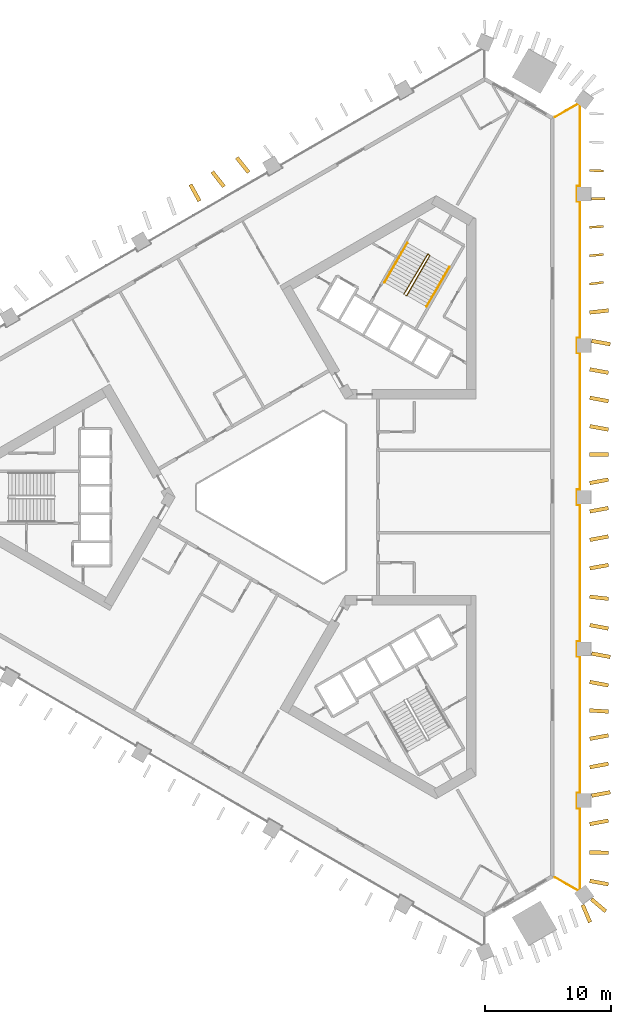
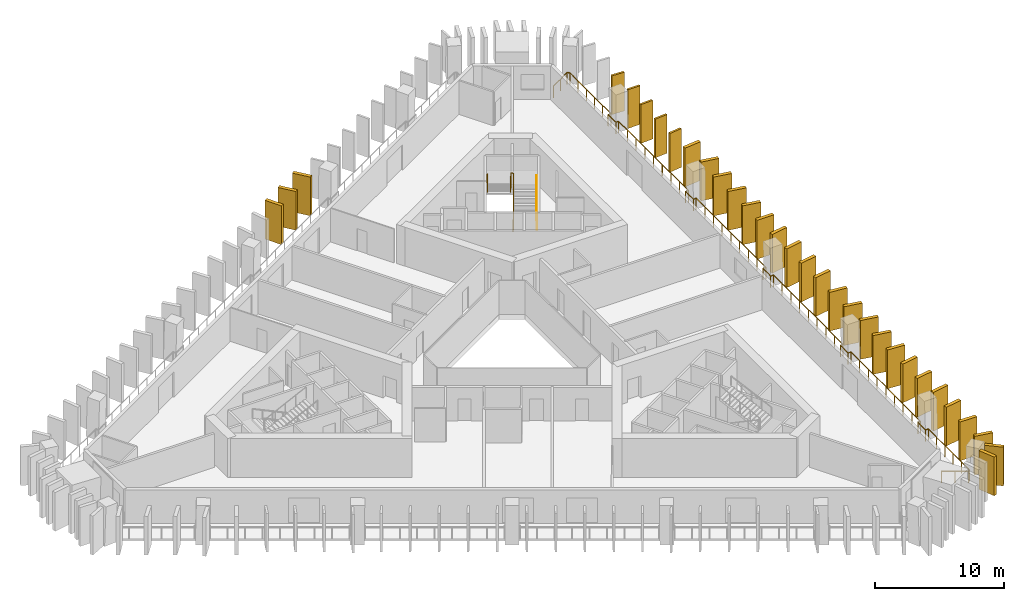
# One storey, part 9 of 10: 31 shading devices, 4 railings.
"""IFC4 building model written with IfcOpenShell, lengths in metres."""

import ifcopenshell
import ifcopenshell.guid

model = None  # the IFC model being written
_history = None  # IfcOwnerHistory: only IFC2X3 demands one
_inside = {}  # id of a spatial element -> (the spatial element, [elements in it])
_under = {}  # id of a project, library or spatial element -> (it, [spatial elements below it])
_declared = {}  # id of a project -> (the project, [libraries it declares])
_typed = {}  # id of a type object -> (the type object, [elements of that type])
_made_of = {}  # id of a material, layer set ... -> (it, [elements and type objects made of it])


def new_model(schema):
    """Start an empty IFC model of exactly this schema.

    Asked for "IFC4X3", IfcOpenShell would pick the latest addendum, in which some entities
    have other attributes; the version numbers below select the first issue.
    IFC2X3 requires an IfcOwnerHistory on every rooted entity: one is made here for all.
    """
    global model, _history
    if schema == "IFC4X3":
        model = ifcopenshell.file(schema_version=(4, 3, 0, 0))
    else:
        model = ifcopenshell.file(schema=schema)
    _inside.clear()
    _under.clear()
    _declared.clear()
    _typed.clear()
    _made_of.clear()
    _history = None
    if model.schema == "IFC2X3":
        org = make("IfcOrganization", Name="unknown")
        user = make(
            "IfcPersonAndOrganization",
            ThePerson=make("IfcPerson", FamilyName="unknown"),
            TheOrganization=org,
        )
        app = make(
            "IfcApplication",
            ApplicationDeveloper=org,
            Version="unknown",
            ApplicationFullName="unknown",
            ApplicationIdentifier="unknown",
        )
        _history = make(
            "IfcOwnerHistory",
            OwningUser=user,
            OwningApplication=app,
            ChangeAction="ADDED",
            CreationDate=0,
        )
    return model


def make(cls, **values):
    """One entity of the class cls with the attributes given. An attribute that is None is left unset."""
    return model.create_entity(
        cls, **{name: value for name, value in values.items() if value is not None}
    )


def rooted(cls, **values):
    """An entity with a GlobalId (a new one), such as an element, a storey or a relation."""
    return make(cls, GlobalId=ifcopenshell.guid.new(), OwnerHistory=_history, **values)


def si_unit(unit_type, name, prefix=None):
    """IfcSIUnit, for example si_unit("LENGTHUNIT", "METRE", prefix="MILLI")."""
    return make("IfcSIUnit", UnitType=unit_type, Prefix=prefix, Name=name)


def assignment(units):
    """IfcUnitAssignment: the units of a project."""
    return None if units is None else make("IfcUnitAssignment", Units=units)


def point(xyz):
    """IfcCartesianPoint."""
    return None if xyz is None else make("IfcCartesianPoint", Coordinates=xyz)


def direction(xyz):
    """IfcDirection."""
    return None if xyz is None else make("IfcDirection", DirectionRatios=xyz)


def frame(location, z_axis=None, x_axis=None):
    """IfcAxis2Placement3D, a coordinate frame: its origin and axes. An axis left out is left unset."""
    return make(
        "IfcAxis2Placement3D",
        Location=point(location),
        Axis=direction(z_axis),
        RefDirection=direction(x_axis),
    )


def frame_2d(location, x_axis=None):
    """IfcAxis2Placement2D, a coordinate frame in the plane: its origin and x axis."""
    return make(
        "IfcAxis2Placement2D", Location=point(location), RefDirection=direction(x_axis)
    )


def origin():
    """The frame at (0, 0, 0) with its axes left unset."""
    return frame((0.0, 0.0, 0.0))


def origin_2d():
    """The frame at (0, 0) in the plane with its x axis left unset."""
    return frame_2d((0.0, 0.0))


def place(relative_to, where):
    """IfcLocalPlacement: puts the frame where relative to a parent placement (None: the world)."""
    return make(
        "IfcLocalPlacement", PlacementRelTo=relative_to, RelativePlacement=where
    )


def context(
    kind, dimensions, precision=None, world=None, true_north=None, identifier=None
):
    """IfcGeometricRepresentationContext, for example the 3D "Model" context."""
    return make(
        "IfcGeometricRepresentationContext",
        ContextIdentifier=identifier,
        ContextType=kind,
        CoordinateSpaceDimension=dimensions,
        Precision=precision,
        WorldCoordinateSystem=world,
        TrueNorth=true_north,
    )


def subcontext(parent, identifier, kind, view, scale=None):
    """IfcGeometricRepresentationSubContext, for example "Body" below "Model"."""
    return make(
        "IfcGeometricRepresentationSubContext",
        ContextIdentifier=identifier,
        ContextType=kind,
        ParentContext=parent,
        TargetScale=scale,
        TargetView=view,
    )


def project(units=None, contexts=None):
    """IfcProject with its units and contexts."""
    return rooted(
        "IfcProject",
        Name="project",
        RepresentationContexts=contexts,
        UnitsInContext=assignment(units),
    )


def spatial(cls, under=None, at=None, **own):
    """A site, building, storey or space (cls), placed at a placement, below another one or the project."""
    s = rooted(cls, ObjectPlacement=at, **own)
    if under is not None:
        _under.setdefault(under.id(), (under, []))[1].append(s)
    return s


def profile(cls, at=None, kind="AREA", **sizes):
    """A parametric profile (cls). Its sizes go by their IFC names, for example OverallWidth=200.0."""
    return make(cls, ProfileType=kind, Position=at, **sizes)


def rectangle(**sizes):
    """IfcRectangleProfileDef."""
    return profile("IfcRectangleProfileDef", **sizes)


def circle(**sizes):
    """IfcCircleProfileDef."""
    return profile("IfcCircleProfileDef", **sizes)


def extrude(swept, where, along, depth):
    """IfcExtrudedAreaSolid: the profile swept, set in the frame where, extruded along a direction by depth."""
    return make(
        "IfcExtrudedAreaSolid",
        SweptArea=swept,
        Position=where,
        ExtrudedDirection=direction(along),
        Depth=depth,
    )


def shape(context_of_items, identifier, shape_type, items):
    """IfcShapeRepresentation: the items that make up one representation, for example the "Body"."""
    return make(
        "IfcShapeRepresentation",
        ContextOfItems=context_of_items,
        RepresentationIdentifier=identifier,
        RepresentationType=shape_type,
        Items=items,
    )


def material(Name=None, Category=None):
    """IfcMaterial."""
    return make("IfcMaterial", Name=Name, Category=Category)


def layer(
    of_material, thickness, ventilated=None, Name=None, Category=None, Priority=None
):
    """IfcMaterialLayer: one layer of a wall or slab, of a material (None: an air gap)."""
    return make(
        "IfcMaterialLayer",
        Material=of_material,
        LayerThickness=thickness,
        IsVentilated=ventilated,
        Name=Name,
        Category=Category,
        Priority=Priority,
    )


def layer_set(layers, Name=None):
    """IfcMaterialLayerSet."""
    return make("IfcMaterialLayerSet", MaterialLayers=layers, LayerSetName=Name)


def made_of(thing, what):
    """Note that an element or type object is made of a material, layer set ...; save() writes the relation."""
    if what is not None:
        _made_of.setdefault(what.id(), (what, []))[1].append(thing)
    return thing


def type_object(cls, material=None, **own):
    """A type object (cls), such as IfcWallType, which elements share."""
    return made_of(rooted(cls, **own), material)


def element(
    cls,
    number,
    at=None,
    inside=None,
    cuts=None,
    type_object=None,
    material=None,
    context=None,
    identifier="Body",
    shape_type=None,
    held_by="IfcProductDefinitionShape",
    body=None,
    shapes=None,
    **own,
):
    """One element of the class cls, such as IfcWall. Its Tag is "e" and its number.

    at: its placement. inside: the storey or other place that contains it. cuts: it is an
    opening in that element (IfcRelVoidsElement). A single representation is given by context,
    identifier, shape_type and body (its items); several are given by shapes. held_by: the class
    of the entity that holds the representations. save() writes the other relations.
    """
    e = rooted(cls, Tag="e%d" % number, ObjectPlacement=at, **own)
    if body is not None:
        shapes = [shape(context, identifier, shape_type, body)]
    if shapes is not None:
        e.Representation = make(held_by, Representations=shapes)
    if inside is not None:
        _inside.setdefault(inside.id(), (inside, []))[1].append(e)
    if cuts is not None:
        rooted(
            "IfcRelVoidsElement", RelatingBuildingElement=cuts, RelatedOpeningElement=e
        )
    if type_object is not None:
        _typed.setdefault(type_object.id(), (type_object, []))[1].append(e)
    return made_of(e, material)


def aggregate(whole, parts):
    """IfcRelAggregates: a whole, such as a stair, and the parts it consists of."""
    return rooted("IfcRelAggregates", RelatingObject=whole, RelatedObjects=parts)


def save(model, path):
    """Write the relations noted so far, then the file.

    IfcRelAggregates (storeys below a building ...), IfcRelContainedInSpatialStructure (elements
    in a storey), IfcRelDefinesByType, IfcRelAssociatesMaterial and IfcRelDeclares: one each for
    every whole, place, type object, material and project.
    """
    for whole, parts in _under.values():
        aggregate(whole, parts)
    for where, things in _inside.values():
        rooted(
            "IfcRelContainedInSpatialStructure",
            RelatedElements=things,
            RelatingStructure=where,
        )
    for kind, things in _typed.values():
        rooted("IfcRelDefinesByType", RelatedObjects=things, RelatingType=kind)
    for what, things in _made_of.values():
        rooted("IfcRelAssociatesMaterial", RelatedObjects=things, RelatingMaterial=what)
    for by, libraries in _declared.values():
        rooted("IfcRelDeclares", RelatingContext=by, RelatedDefinitions=libraries)
    model.write(path)


model = new_model("IFC4")

# Units and contexts
model_context = context("Model", 3, precision=1e-05, world=origin(), true_north=direction((0.0, 1.0)))
body_context = subcontext(model_context, "Body", "Model", "MODEL_VIEW")
ifc_project = project(units=[si_unit("LENGTHUNIT", "METRE"), si_unit("AREAUNIT", "SQUARE_METRE"), si_unit("VOLUMEUNIT", "CUBIC_METRE"), si_unit("PLANEANGLEUNIT", "RADIAN"), si_unit("MASSUNIT", "GRAM", prefix="KILO")], contexts=[model_context])

# Site, building, storey
site_placement = place(None, origin())
site = spatial("IfcSite", under=ifc_project, at=site_placement, CompositionType="ELEMENT")
building_placement = place(site_placement, origin())
building = spatial("IfcBuilding", under=site, at=building_placement, Name="Jabali Bay Hotel Tower and Convention Centre", CompositionType="ELEMENT")
storey_placement = place(building_placement, frame((0.0, 0.0, 57.300048828125)))
storey = spatial("IfcBuildingStorey", under=building, at=storey_placement, Name="L12", CompositionType="ELEMENT", Elevation=57.300048828125)

# Railing
ifc_material_1 = material(Name="Glass", Category="glass")
railing_type_1 = type_object("IfcRailingType", Name="Loggia glass guard 1100", PredefinedType="BALUSTRADE", material=ifc_material_1)
railing_1_placement = place(storey_placement, frame((96.14892578125, 110.177734375, 0.0)))
element("IfcRailing", 1, at=railing_1_placement, inside=storey, type_object=railing_type_1, Name="Loggia glass guard L12", PredefinedType="BALUSTRADE", context=body_context, shape_type="SweptSolid", body=[
    extrude(circle(Radius=0.02490234375, at=origin_2d()), frame((0.0, 0.0, 1.0751953125), z_axis=(0.866027613664, 0.499996172356, 0.0), x_axis=(-0.495718635789, 0.858618627375, 0.13052619222)), (0.0, 0.0, 1.0), 2.1103515625),
    extrude(circle(Radius=0.02490234375, at=origin_2d()), frame((1.82763671875, 1.05517578125, 1.0751953125), z_axis=(0.802448385705, -0.596721533279, 0.0), x_axis=(0.591616497841, 0.795583328525, 0.13052619222)), (0.0, 0.0, 1.0), 0.21484375),
    extrude(circle(Radius=0.02490234375, at=origin_2d()), frame((2.0, 0.927001953125, 1.0751953125), z_axis=(0.0, -1.0, 0.0), x_axis=(0.991444861374, 0.0, 0.13052619222)), (0.0, 0.0, 1.0), 6.406982421875),
    extrude(circle(Radius=0.02490234375, at=origin_2d()), frame((2.0, -5.47998046875, 1.0751953125), z_axis=(-1.0, 0.0, 0.0), x_axis=(0.0, -0.991444861374, 0.13052619222)), (0.0, 0.0, 1.0), 0.25),
    extrude(circle(Radius=0.02490234375, at=origin_2d()), frame((1.75, -5.47998046875, 1.0751953125), z_axis=(0.0, -1.0, 0.0), x_axis=(0.991444861374, 0.0, 0.13052619222)), (0.0, 0.0, 1.0), 1.199951171875),
    extrude(circle(Radius=0.02490234375, at=origin_2d()), frame((1.75, -6.679931640625, 1.0751953125), z_axis=(1.0, 0.0, 0.0), x_axis=(0.0, 0.991444861374, 0.13052619222)), (0.0, 0.0, 1.0), 0.25),
    extrude(circle(Radius=0.02490234375, at=origin_2d()), frame((2.0, -6.679931640625, 1.0751953125), z_axis=(0.0, -1.0, 0.0), x_axis=(0.991444861374, 0.0, 0.13052619222)), (0.0, 0.0, 1.0), 10.848876953125),
    extrude(circle(Radius=0.02490234375, at=origin_2d()), frame((2.0, -17.52880859375, 1.0751953125), z_axis=(-1.0, 0.0, 0.0), x_axis=(0.0, -0.991444861374, 0.13052619222)), (0.0, 0.0, 1.0), 0.25),
    extrude(circle(Radius=0.02490234375, at=origin_2d()), frame((1.75, -17.52880859375, 1.0751953125), z_axis=(0.0, -1.0, 0.0), x_axis=(0.991444861374, 0.0, 0.13052619222)), (0.0, 0.0, 1.0), 1.199951171875),
    extrude(circle(Radius=0.02490234375, at=origin_2d()), frame((1.75, -18.728759765625, 1.0751953125), z_axis=(1.0, 0.0, 0.0), x_axis=(0.0, 0.991444861374, 0.13052619222)), (0.0, 0.0, 1.0), 0.25),
    extrude(circle(Radius=0.02490234375, at=origin_2d()), frame((2.0, -18.728759765625, 1.0751953125), z_axis=(0.0, -1.0, 0.0), x_axis=(0.991444861374, 0.0, 0.13052619222)), (0.0, 0.0, 1.0), 10.848876953125),
    extrude(circle(Radius=0.02490234375, at=origin_2d()), frame((2.0, -29.57763671875, 1.0751953125), z_axis=(-1.0, 0.0, 0.0), x_axis=(0.0, -0.991444861374, 0.13052619222)), (0.0, 0.0, 1.0), 0.25),
    extrude(circle(Radius=0.02490234375, at=origin_2d()), frame((1.75, -29.57763671875, 1.0751953125), z_axis=(0.0, -1.0, 0.0), x_axis=(0.991444861374, 0.0, 0.13052619222)), (0.0, 0.0, 1.0), 1.2001953125),
    extrude(circle(Radius=0.02490234375, at=origin_2d()), frame((1.75, -30.77783203125, 1.0751953125), z_axis=(1.0, 0.0, 0.0), x_axis=(0.0, 0.991444861374, 0.13052619222)), (0.0, 0.0, 1.0), 0.25),
    extrude(circle(Radius=0.02490234375, at=origin_2d()), frame((2.0, -30.77783203125, 1.0751953125), z_axis=(0.0, -1.0, 0.0), x_axis=(0.991444861374, 0.0, 0.13052619222)), (0.0, 0.0, 1.0), 10.848876953125),
    extrude(circle(Radius=0.02490234375, at=origin_2d()), frame((2.0, -41.626708984375, 1.0751953125), z_axis=(-1.0, 0.0, 0.0), x_axis=(0.0, -0.991444861374, 0.13052619222)), (0.0, 0.0, 1.0), 0.25),
    extrude(circle(Radius=0.02490234375, at=origin_2d()), frame((1.75, -41.626708984375, 1.0751953125), z_axis=(0.0, -1.0, 0.0), x_axis=(0.991444861374, 0.0, 0.13052619222)), (0.0, 0.0, 1.0), 1.199951171875),
    extrude(circle(Radius=0.02490234375, at=origin_2d()), frame((1.75, -42.82666015625, 1.0751953125), z_axis=(1.0, 0.0, 0.0), x_axis=(0.0, 0.991444861374, 0.13052619222)), (0.0, 0.0, 1.0), 0.25),
    extrude(circle(Radius=0.02490234375, at=origin_2d()), frame((2.0, -42.82666015625, 1.0751953125), z_axis=(0.0, -1.0, 0.0), x_axis=(0.991444861374, 0.0, 0.13052619222)), (0.0, 0.0, 1.0), 10.848876953125),
    extrude(circle(Radius=0.02490234375, at=origin_2d()), frame((2.0, -53.675537109375, 1.0751953125), z_axis=(-1.0, 0.0, 0.0), x_axis=(0.0, -0.991444861374, 0.13052619222)), (0.0, 0.0, 1.0), 0.25),
    extrude(circle(Radius=0.02490234375, at=origin_2d()), frame((1.75, -53.675537109375, 1.0751953125), z_axis=(0.0, -1.0, 0.0), x_axis=(0.991444861374, 0.0, 0.13052619222)), (0.0, 0.0, 1.0), 1.199951171875),
    extrude(circle(Radius=0.02490234375, at=origin_2d()), frame((1.75, -54.87548828125, 1.0751953125), z_axis=(1.0, 0.0, 0.0), x_axis=(0.0, 0.991444861374, 0.13052619222)), (0.0, 0.0, 1.0), 0.25),
    extrude(circle(Radius=0.02490234375, at=origin_2d()), frame((2.0, -54.87548828125, 1.0751953125), z_axis=(0.0, -1.0, 0.0), x_axis=(0.991444861374, 0.0, 0.13052619222)), (0.0, 0.0, 1.0), 6.406982421875),
    extrude(circle(Radius=0.02490234375, at=origin_2d()), frame((2.0, -61.282470703125, 1.0751953125), z_axis=(-0.802448385705, -0.596721533279, 0.0), x_axis=(0.591616497841, -0.795583328525, 0.13052619222)), (0.0, 0.0, 1.0), 0.21484375),
    extrude(circle(Radius=0.02490234375, at=origin_2d()), frame((1.82763671875, -61.41064453125, 1.0751953125), z_axis=(-0.866027613664, 0.499996172356, 0.0), x_axis=(-0.495718635789, -0.858618627375, 0.13052619222)), (0.0, 0.0, 1.0), 2.1103515625),
    extrude(circle(Radius=0.02001953125, at=origin_2d()), origin(), (0.0, 0.0, 1.0), 1.050048828125),
    extrude(circle(Radius=0.02001953125, at=origin_2d()), frame((0.913818359375, 0.527587890625, 0.0)), (0.0, 0.0, 1.0), 1.050048828125),
    extrude(circle(Radius=0.02001953125, at=origin_2d()), frame((1.82763671875, 1.05517578125, 0.0)), (0.0, 0.0, 1.0), 1.050048828125),
    extrude(circle(Radius=0.02001953125, at=origin_2d()), frame((2.0, 0.927001953125, 0.0)), (0.0, 0.0, 1.0), 1.050048828125),
    extrude(circle(Radius=0.02001953125, at=origin_2d()), frame((2.0, -0.3544921875, 0.0)), (0.0, 0.0, 1.0), 1.050048828125),
    extrude(circle(Radius=0.02001953125, at=origin_2d()), frame((2.0, -1.6357421875, 0.0)), (0.0, 0.0, 1.0), 1.050048828125),
    extrude(circle(Radius=0.02001953125, at=origin_2d()), frame((2.0, -2.917236328125, 0.0)), (0.0, 0.0, 1.0), 1.050048828125),
    extrude(circle(Radius=0.02001953125, at=origin_2d()), frame((2.0, -4.198486328125, 0.0)), (0.0, 0.0, 1.0), 1.050048828125),
    extrude(circle(Radius=0.02001953125, at=origin_2d()), frame((2.0, -5.47998046875, 0.0)), (0.0, 0.0, 1.0), 1.050048828125),
    extrude(circle(Radius=0.02001953125, at=origin_2d()), frame((1.75, -5.47998046875, 0.0)), (0.0, 0.0, 1.0), 1.050048828125),
    extrude(circle(Radius=0.02001953125, at=origin_2d()), frame((1.75, -6.679931640625, 0.0)), (0.0, 0.0, 1.0), 1.050048828125),
    extrude(circle(Radius=0.02001953125, at=origin_2d()), frame((2.0, -6.679931640625, 0.0)), (0.0, 0.0, 1.0), 1.050048828125),
    extrude(circle(Radius=0.02001953125, at=origin_2d()), frame((2.0, -8.0361328125, 0.0)), (0.0, 0.0, 1.0), 1.050048828125),
    extrude(circle(Radius=0.02001953125, at=origin_2d()), frame((2.0, -9.39208984375, 0.0)), (0.0, 0.0, 1.0), 1.050048828125),
    extrude(circle(Radius=0.02001953125, at=origin_2d()), frame((2.0, -10.748291015625, 0.0)), (0.0, 0.0, 1.0), 1.050048828125),
    extrude(circle(Radius=0.02001953125, at=origin_2d()), frame((2.0, -12.1044921875, 0.0)), (0.0, 0.0, 1.0), 1.050048828125),
    extrude(circle(Radius=0.02001953125, at=origin_2d()), frame((2.0, -13.46044921875, 0.0)), (0.0, 0.0, 1.0), 1.050048828125),
    extrude(circle(Radius=0.02001953125, at=origin_2d()), frame((2.0, -14.816650390625, 0.0)), (0.0, 0.0, 1.0), 1.050048828125),
    extrude(circle(Radius=0.02001953125, at=origin_2d()), frame((2.0, -16.172607421875, 0.0)), (0.0, 0.0, 1.0), 1.050048828125),
    extrude(circle(Radius=0.02001953125, at=origin_2d()), frame((2.0, -17.52880859375, 0.0)), (0.0, 0.0, 1.0), 1.050048828125),
    extrude(circle(Radius=0.02001953125, at=origin_2d()), frame((1.75, -17.52880859375, 0.0)), (0.0, 0.0, 1.0), 1.050048828125),
    extrude(circle(Radius=0.02001953125, at=origin_2d()), frame((1.75, -18.728759765625, 0.0)), (0.0, 0.0, 1.0), 1.050048828125),
    extrude(circle(Radius=0.02001953125, at=origin_2d()), frame((2.0, -18.728759765625, 0.0)), (0.0, 0.0, 1.0), 1.050048828125),
    extrude(circle(Radius=0.02001953125, at=origin_2d()), frame((2.0, -20.0849609375, 0.0)), (0.0, 0.0, 1.0), 1.050048828125),
    extrude(circle(Radius=0.02001953125, at=origin_2d()), frame((2.0, -21.44091796875, 0.0)), (0.0, 0.0, 1.0), 1.050048828125),
    extrude(circle(Radius=0.02001953125, at=origin_2d()), frame((2.0, -22.797119140625, 0.0)), (0.0, 0.0, 1.0), 1.050048828125),
    extrude(circle(Radius=0.02001953125, at=origin_2d()), frame((2.0, -24.1533203125, 0.0)), (0.0, 0.0, 1.0), 1.050048828125),
    extrude(circle(Radius=0.02001953125, at=origin_2d()), frame((2.0, -25.50927734375, 0.0)), (0.0, 0.0, 1.0), 1.050048828125),
    extrude(circle(Radius=0.02001953125, at=origin_2d()), frame((2.0, -26.865478515625, 0.0)), (0.0, 0.0, 1.0), 1.050048828125),
    extrude(circle(Radius=0.02001953125, at=origin_2d()), frame((2.0, -28.221435546875, 0.0)), (0.0, 0.0, 1.0), 1.050048828125),
    extrude(circle(Radius=0.02001953125, at=origin_2d()), frame((2.0, -29.57763671875, 0.0)), (0.0, 0.0, 1.0), 1.050048828125),
    extrude(circle(Radius=0.02001953125, at=origin_2d()), frame((1.75, -29.57763671875, 0.0)), (0.0, 0.0, 1.0), 1.050048828125),
    extrude(circle(Radius=0.02001953125, at=origin_2d()), frame((1.75, -30.77783203125, 0.0)), (0.0, 0.0, 1.0), 1.050048828125),
    extrude(circle(Radius=0.02001953125, at=origin_2d()), frame((2.0, -30.77783203125, 0.0)), (0.0, 0.0, 1.0), 1.050048828125),
    extrude(circle(Radius=0.02001953125, at=origin_2d()), frame((2.0, -32.134033203125, 0.0)), (0.0, 0.0, 1.0), 1.050048828125),
    extrude(circle(Radius=0.02001953125, at=origin_2d()), frame((2.0, -33.489990234375, 0.0)), (0.0, 0.0, 1.0), 1.050048828125),
    extrude(circle(Radius=0.02001953125, at=origin_2d()), frame((2.0, -34.84619140625, 0.0)), (0.0, 0.0, 1.0), 1.050048828125),
    extrude(circle(Radius=0.02001953125, at=origin_2d()), frame((2.0, -36.2021484375, 0.0)), (0.0, 0.0, 1.0), 1.050048828125),
    extrude(circle(Radius=0.02001953125, at=origin_2d()), frame((2.0, -37.558349609375, 0.0)), (0.0, 0.0, 1.0), 1.050048828125),
    extrude(circle(Radius=0.02001953125, at=origin_2d()), frame((2.0, -38.91455078125, 0.0)), (0.0, 0.0, 1.0), 1.050048828125),
    extrude(circle(Radius=0.02001953125, at=origin_2d()), frame((2.0, -40.2705078125, 0.0)), (0.0, 0.0, 1.0), 1.050048828125),
    extrude(circle(Radius=0.02001953125, at=origin_2d()), frame((2.0, -41.626708984375, 0.0)), (0.0, 0.0, 1.0), 1.050048828125),
    extrude(circle(Radius=0.02001953125, at=origin_2d()), frame((1.75, -41.626708984375, 0.0)), (0.0, 0.0, 1.0), 1.050048828125),
    extrude(circle(Radius=0.02001953125, at=origin_2d()), frame((1.75, -42.82666015625, 0.0)), (0.0, 0.0, 1.0), 1.050048828125),
    extrude(circle(Radius=0.02001953125, at=origin_2d()), frame((2.0, -42.82666015625, 0.0)), (0.0, 0.0, 1.0), 1.050048828125),
    extrude(circle(Radius=0.02001953125, at=origin_2d()), frame((2.0, -44.182861328125, 0.0)), (0.0, 0.0, 1.0), 1.050048828125),
    extrude(circle(Radius=0.02001953125, at=origin_2d()), frame((2.0, -45.538818359375, 0.0)), (0.0, 0.0, 1.0), 1.050048828125),
    extrude(circle(Radius=0.02001953125, at=origin_2d()), frame((2.0, -46.89501953125, 0.0)), (0.0, 0.0, 1.0), 1.050048828125),
    extrude(circle(Radius=0.02001953125, at=origin_2d()), frame((2.0, -48.2509765625, 0.0)), (0.0, 0.0, 1.0), 1.050048828125),
    extrude(circle(Radius=0.02001953125, at=origin_2d()), frame((2.0, -49.607177734375, 0.0)), (0.0, 0.0, 1.0), 1.050048828125),
    extrude(circle(Radius=0.02001953125, at=origin_2d()), frame((2.0, -50.96337890625, 0.0)), (0.0, 0.0, 1.0), 1.050048828125),
    extrude(circle(Radius=0.02001953125, at=origin_2d()), frame((2.0, -52.3193359375, 0.0)), (0.0, 0.0, 1.0), 1.050048828125),
    extrude(circle(Radius=0.02001953125, at=origin_2d()), frame((2.0, -53.675537109375, 0.0)), (0.0, 0.0, 1.0), 1.050048828125),
    extrude(circle(Radius=0.02001953125, at=origin_2d()), frame((1.75, -53.675537109375, 0.0)), (0.0, 0.0, 1.0), 1.050048828125),
    extrude(circle(Radius=0.02001953125, at=origin_2d()), frame((1.75, -54.87548828125, 0.0)), (0.0, 0.0, 1.0), 1.050048828125),
    extrude(circle(Radius=0.02001953125, at=origin_2d()), frame((2.0, -54.87548828125, 0.0)), (0.0, 0.0, 1.0), 1.050048828125),
    extrude(circle(Radius=0.02001953125, at=origin_2d()), frame((2.0, -56.156982421875, 0.0)), (0.0, 0.0, 1.0), 1.050048828125),
    extrude(circle(Radius=0.02001953125, at=origin_2d()), frame((2.0, -57.438232421875, 0.0)), (0.0, 0.0, 1.0), 1.050048828125),
    extrude(circle(Radius=0.02001953125, at=origin_2d()), frame((2.0, -58.7197265625, 0.0)), (0.0, 0.0, 1.0), 1.050048828125),
    extrude(circle(Radius=0.02001953125, at=origin_2d()), frame((2.0, -60.0009765625, 0.0)), (0.0, 0.0, 1.0), 1.050048828125),
    extrude(circle(Radius=0.02001953125, at=origin_2d()), frame((2.0, -61.282470703125, 0.0)), (0.0, 0.0, 1.0), 1.050048828125),
    extrude(circle(Radius=0.02001953125, at=origin_2d()), frame((1.82763671875, -61.41064453125, 0.0)), (0.0, 0.0, 1.0), 1.050048828125),
    extrude(circle(Radius=0.02001953125, at=origin_2d()), frame((0.913818359375, -60.883056640625, 0.0)), (0.0, 0.0, 1.0), 1.050048828125),
    extrude(circle(Radius=0.02001953125, at=origin_2d()), frame((0.0, -60.35546875, 0.0)), (0.0, 0.0, 1.0), 1.050048828125),
])

# Shading devices
ifc_material_2 = material(Name="Precast concrete C60", Category="concrete")
ifc_layer_1 = layer(ifc_material_2, 0.179931640625)
ifc_layer_set_1 = layer_set([ifc_layer_1], Name="Precast concrete C60")
shading_device_type_1 = type_object("IfcShadingDeviceType", Name="Precast fin 3680 x 1100", PredefinedType="USERDEFINED", material=ifc_layer_set_1)
shading_device_1_placement = place(storey_placement, frame((98.910400390625, 96.924560546875, 0.010009765625), z_axis=(0.0, 0.0, 1.0), x_axis=(0.991679434702, 0.128731887226, 0.0)))
element("IfcShadingDevice", 2, at=shading_device_1_placement, inside=storey, type_object=shading_device_type_1, Name="Fin L12 021", ObjectType="FIN", PredefinedType="USERDEFINED", context=body_context, shape_type="SweptSolid", body=[
    extrude(rectangle(XDim=1.099853515625, YDim=0.179931640625, at=frame_2d((0.5498046875, 0.0))), origin(), (0.0, 0.0, 1.0), 3.679931640625),
])
shading_device_2_placement = place(storey_placement, frame((98.906494140625, 99.18115234375, 0.010009765625), z_axis=(0.0, 0.0, 1.0), x_axis=(0.996304441521, 0.085892140537, 0.0)))
element("IfcShadingDevice", 3, at=shading_device_2_placement, inside=storey, type_object=shading_device_type_1, Name="Fin L12 022", ObjectType="FIN", PredefinedType="USERDEFINED", context=body_context, shape_type="SweptSolid", body=[
    extrude(rectangle(XDim=1.10009765625, YDim=0.179931640625, at=frame_2d((0.550048828125, 0.0))), origin(), (0.0, 0.0, 1.0), 3.679931640625),
])
for number, where, z_axis, x_axis, name in (
    (4, (98.904052734375, 101.437744140625, 0.010009765625), (0.0, 0.0, 1.0), (0.998384311949, 0.056822228515, 0.0), "Fin L12 023"),
    (5, (99.050048828125, 103.6943359375, 0.010009765625), (0.0, 0.0, 1.0), (0.999889424737, 0.014870719524, 0.0), "Fin L12 024"),
):
    element("IfcShadingDevice", number, at=place(storey_placement, frame(where, z_axis=z_axis, x_axis=x_axis)), inside=storey, type_object=shading_device_type_1, Name=name, ObjectType="FIN", PredefinedType="USERDEFINED", context=body_context, shape_type="SweptSolid", body=[
        extrude(rectangle(XDim=1.099853515625, YDim=0.179931640625, at=frame_2d((0.5498046875, 0.0))), origin(), (0.0, 0.0, 1.0), 3.679931640625),
    ])
shading_device_3_placement = place(storey_placement, frame((98.90234375, 105.950927734375, 0.010009765625), z_axis=(0.0, 0.0, 1.0), x_axis=(0.999219289162, -0.039507115387, 0.0)))
element("IfcShadingDevice", 6, at=shading_device_3_placement, inside=storey, type_object=shading_device_type_1, Name="Fin L12 025", ObjectType="FIN", PredefinedType="USERDEFINED", context=body_context, shape_type="SweptSolid", body=[
    extrude(rectangle(XDim=1.10009765625, YDim=0.179931640625, at=frame_2d((0.550048828125, 0.0))), origin(), (0.0, 0.0, 1.0), 3.679931640625),
])
ifc_layer_2 = layer(ifc_material_2, 0.300048828125)
ifc_layer_set_2 = layer_set([ifc_layer_2], Name="Precast concrete C60")
shading_device_type_2 = type_object("IfcShadingDeviceType", Name="Precast fin 3680 x 1500", PredefinedType="USERDEFINED", material=ifc_layer_set_2)
shading_device_4_placement = place(storey_placement, frame((98.926025390625, 49.535888671875, 0.010009765625), z_axis=(0.0, 0.0, 1.0), x_axis=(0.983540082214, -0.180690084617, 0.0)))
element("IfcShadingDevice", 7, at=shading_device_4_placement, inside=storey, type_object=shading_device_type_2, Name="Fin L12 000", ObjectType="FIN", PredefinedType="USERDEFINED", context=body_context, shape_type="SweptSolid", body=[
    extrude(rectangle(XDim=1.499755859375, YDim=0.300048828125, at=frame_2d((0.75, 0.0))), origin(), (0.0, 0.0, 1.0), 3.679931640625),
])
shading_device_5_placement = place(storey_placement, frame((98.901123046875, 51.79248046875, 0.010009765625), z_axis=(0.0, 0.0, 1.0), x_axis=(0.999895064938, -0.014486514859, 0.0)))
element("IfcShadingDevice", 8, at=shading_device_5_placement, inside=storey, type_object=shading_device_type_2, Name="Fin L12 001", ObjectType="FIN", PredefinedType="USERDEFINED", context=body_context, shape_type="SweptSolid", body=[
    extrude(rectangle(XDim=1.5, YDim=0.300048828125, at=frame_2d((0.75, 0.0))), origin(), (0.0, 0.0, 1.0), 3.679931640625),
])
shading_device_6_placement = place(storey_placement, frame((98.926025390625, 54.049072265625, 0.010009765625), z_axis=(0.0, 0.0, 1.0), x_axis=(0.983511141173, 0.180847546813, 0.0)))
element("IfcShadingDevice", 9, at=shading_device_6_placement, inside=storey, type_object=shading_device_type_2, Name="Fin L12 002", ObjectType="FIN", PredefinedType="USERDEFINED", context=body_context, shape_type="SweptSolid", body=[
    extrude(rectangle(XDim=1.499755859375, YDim=0.300048828125, at=frame_2d((0.75, 0.0))), origin(), (0.0, 0.0, 1.0), 3.679931640625),
])
shading_device_7_placement = place(storey_placement, frame((99.07568359375, 56.3056640625, 0.010009765625), z_axis=(0.0, 0.0, 1.0), x_axis=(0.98351646372, 0.180818598576, 0.0)))
element("IfcShadingDevice", 10, at=shading_device_7_placement, inside=storey, type_object=shading_device_type_2, Name="Fin L12 003", ObjectType="FIN", PredefinedType="USERDEFINED", context=body_context, shape_type="SweptSolid", body=[
    extrude(rectangle(XDim=1.5, YDim=0.300048828125, at=frame_2d((0.75, 0.0))), origin(), (0.0, 0.0, 1.0), 3.679931640625),
])
for number, where, z_axis, x_axis, name in (
    (11, (98.926025390625, 58.562255859375, 0.010009765625), (0.0, 0.0, 1.0), (0.983511141173, 0.180847546813, 0.0), "Fin L12 004"),
    (12, (98.926025390625, 60.81884765625, 0.010009765625), (0.0, 0.0, 1.0), (0.983511141173, 0.180847546813, 0.0), "Fin L12 005"),
):
    element("IfcShadingDevice", number, at=place(storey_placement, frame(where, z_axis=z_axis, x_axis=x_axis)), inside=storey, type_object=shading_device_type_2, Name=name, ObjectType="FIN", PredefinedType="USERDEFINED", context=body_context, shape_type="SweptSolid", body=[
        extrude(rectangle(XDim=1.499755859375, YDim=0.300048828125, at=frame_2d((0.75, 0.0))), origin(), (0.0, 0.0, 1.0), 3.679931640625),
    ])
shading_device_8_placement = place(storey_placement, frame((98.908447265625, 63.075439453125, 0.010009765625), z_axis=(0.0, 0.0, 1.0), x_axis=(0.997951874137, -0.063969187169, 0.0)))
element("IfcShadingDevice", 13, at=shading_device_8_placement, inside=storey, type_object=shading_device_type_2, Name="Fin L12 006", ObjectType="FIN", PredefinedType="USERDEFINED", context=body_context, shape_type="SweptSolid", body=[
    extrude(rectangle(XDim=1.5, YDim=0.300048828125, at=frame_2d((0.75, 0.0))), origin(), (0.0, 0.0, 1.0), 3.679931640625),
])
shading_device_9_placement = place(storey_placement, frame((98.926025390625, 65.33203125, 0.010009765625), z_axis=(0.0, 0.0, 1.0), x_axis=(0.983540082214, -0.180690084617, 0.0)))
element("IfcShadingDevice", 14, at=shading_device_9_placement, inside=storey, type_object=shading_device_type_2, Name="Fin L12 007", ObjectType="FIN", PredefinedType="USERDEFINED", context=body_context, shape_type="SweptSolid", body=[
    extrude(rectangle(XDim=1.499755859375, YDim=0.300048828125, at=frame_2d((0.75, 0.0))), origin(), (0.0, 0.0, 1.0), 3.679931640625),
])
shading_device_10_placement = place(storey_placement, frame((99.07568359375, 67.588623046875, 0.010009765625), z_axis=(0.0, 0.0, 1.0), x_axis=(0.983545395653, -0.180661159883, 0.0)))
element("IfcShadingDevice", 15, at=shading_device_10_placement, inside=storey, type_object=shading_device_type_2, Name="Fin L12 008", ObjectType="FIN", PredefinedType="USERDEFINED", context=body_context, shape_type="SweptSolid", body=[
    extrude(rectangle(XDim=1.5, YDim=0.300048828125, at=frame_2d((0.75, 0.0))), origin(), (0.0, 0.0, 1.0), 3.679931640625),
])
shading_device_11_placement = place(storey_placement, frame((98.926025390625, 69.84521484375, 0.010009765625), z_axis=(0.0, 0.0, 1.0), x_axis=(0.983540082214, -0.180690084617, 0.0)))
element("IfcShadingDevice", 16, at=shading_device_11_placement, inside=storey, type_object=shading_device_type_2, Name="Fin L12 009", ObjectType="FIN", PredefinedType="USERDEFINED", context=body_context, shape_type="SweptSolid", body=[
    extrude(rectangle(XDim=1.499755859375, YDim=0.300048828125, at=frame_2d((0.75, 0.0))), origin(), (0.0, 0.0, 1.0), 3.679931640625),
])
for number, where, z_axis, x_axis, name in (
    (17, (98.915283203125, 72.101806640625, 0.010009765625), (0.0, 0.0, 1.0), (0.993929299837, -0.110020665906, 0.0), "Fin L12 010"),
    (18, (98.924560546875, 74.3583984375, 0.010009765625), (0.0, 0.0, 1.0), (0.985120835338, 0.171863142593, 0.0), "Fin L12 011"),
):
    element("IfcShadingDevice", number, at=place(storey_placement, frame(where, z_axis=z_axis, x_axis=x_axis)), inside=storey, type_object=shading_device_type_2, Name=name, ObjectType="FIN", PredefinedType="USERDEFINED", context=body_context, shape_type="SweptSolid", body=[
        extrude(rectangle(XDim=1.5, YDim=0.300048828125, at=frame_2d((0.75, 0.0))), origin(), (0.0, 0.0, 1.0), 3.679931640625),
    ])
for number, where, z_axis, x_axis, name in (
    (19, (98.926025390625, 76.614990234375, 0.010009765625), (0.0, 0.0, 1.0), (0.983511141173, 0.180847546813, 0.0), "Fin L12 012"),
    (20, (98.926025390625, 78.87158203125, 0.010009765625), (0.0, 0.0, 1.0), (0.983511141173, 0.180847546813, 0.0), "Fin L12 013"),
    (21, (98.926025390625, 81.12841796875, 0.010009765625), (0.0, 0.0, 1.0), (0.983540082214, 0.180690084617, 0.0), "Fin L12 014"),
):
    element("IfcShadingDevice", number, at=place(storey_placement, frame(where, z_axis=z_axis, x_axis=x_axis)), inside=storey, type_object=shading_device_type_2, Name=name, ObjectType="FIN", PredefinedType="USERDEFINED", context=body_context, shape_type="SweptSolid", body=[
        extrude(rectangle(XDim=1.499755859375, YDim=0.300048828125, at=frame_2d((0.75, 0.0))), origin(), (0.0, 0.0, 1.0), 3.679931640625),
    ])
shading_device_12_placement = place(storey_placement, frame((98.89892578125, 83.385009765625, 0.010009765625), z_axis=(0.0, 0.0, 1.0), x_axis=(0.999999947018, 0.000325520816, 0.0)))
element("IfcShadingDevice", 22, at=shading_device_12_placement, inside=storey, type_object=shading_device_type_2, Name="Fin L12 015", ObjectType="FIN", PredefinedType="USERDEFINED", context=body_context, shape_type="SweptSolid", body=[
    extrude(rectangle(XDim=1.5, YDim=0.300048828125, at=frame_2d((0.75, 0.0))), origin(), (0.0, 0.0, 1.0), 3.679931640625),
])
shading_device_13_placement = place(storey_placement, frame((98.926025390625, 85.6416015625, 0.010009765625), z_axis=(0.0, 0.0, 1.0), x_axis=(0.983540082214, -0.180690084617, 0.0)))
element("IfcShadingDevice", 23, at=shading_device_13_placement, inside=storey, type_object=shading_device_type_2, Name="Fin L12 016", ObjectType="FIN", PredefinedType="USERDEFINED", context=body_context, shape_type="SweptSolid", body=[
    extrude(rectangle(XDim=1.499755859375, YDim=0.300048828125, at=frame_2d((0.75, 0.0))), origin(), (0.0, 0.0, 1.0), 3.679931640625),
])
shading_device_14_placement = place(storey_placement, frame((98.92578125, 87.898193359375, 0.010009765625), z_axis=(0.0, 0.0, 1.0), x_axis=(0.983608481701, -0.180317372224, 0.0)))
element("IfcShadingDevice", 24, at=shading_device_14_placement, inside=storey, type_object=shading_device_type_2, Name="Fin L12 017", ObjectType="FIN", PredefinedType="USERDEFINED", context=body_context, shape_type="SweptSolid", body=[
    extrude(rectangle(XDim=1.500244140625, YDim=0.300048828125, at=frame_2d((0.75, 0.0))), origin(), (0.0, 0.0, 1.0), 3.679931640625),
])
shading_device_15_placement = place(storey_placement, frame((98.92578125, 90.15478515625, 0.010009765625), z_axis=(0.0, 0.0, 1.0), x_axis=(0.98380995387, -0.179214884052, 0.0)))
element("IfcShadingDevice", 25, at=shading_device_15_placement, inside=storey, type_object=shading_device_type_2, Name="Fin L12 018", ObjectType="FIN", PredefinedType="USERDEFINED", context=body_context, shape_type="SweptSolid", body=[
    extrude(rectangle(XDim=1.499755859375, YDim=0.300048828125, at=frame_2d((0.75, 0.0))), origin(), (0.0, 0.0, 1.0), 3.679931640625),
])
for number, where, z_axis, x_axis, name in (
    (26, (99.074951171875, 92.411376953125, 0.010009765625), (0.0, 0.0, 1.0), (0.98457310254, -0.174973728754, 0.0), "Fin L12 019"),
    (27, (98.915283203125, 94.66796875, 0.010009765625), (0.0, 0.0, 1.0), (0.994000286547, 0.10937746726, 0.0), "Fin L12 020"),
    (28, (71.83349609375, 105.793701171875, 0.010009765625), (0.0, 0.0, 1.0), (-0.623841201322, 0.78155112151, 0.0), "Fin L12 046"),
    (29, (69.879638671875, 104.664794921875, 0.010009765625), (0.0, 0.0, 1.0), (-0.619939761701, 0.784649406973, 0.0), "Fin L12 047"),
    (30, (67.934814453125, 103.520263671875, 0.010009765625), (0.0, 0.0, 1.0), (-0.482406003253, 0.875947742748, 0.0), "Fin L12 048"),
):
    element("IfcShadingDevice", number, at=place(storey_placement, frame(where, z_axis=z_axis, x_axis=x_axis)), inside=storey, type_object=shading_device_type_2, Name=name, ObjectType="FIN", PredefinedType="USERDEFINED", context=body_context, shape_type="SweptSolid", body=[
        extrude(rectangle(XDim=1.5, YDim=0.300048828125, at=frame_2d((0.75, 0.0))), origin(), (0.0, 0.0, 1.0), 3.679931640625),
    ])
shading_device_16_placement = place(storey_placement, frame((98.364013671875, 47.62939453125, 0.010009765625), z_axis=(0.0, 0.0, 1.0), x_axis=(0.389613444936, -0.920978481576, 0.0)))
element("IfcShadingDevice", 31, at=shading_device_16_placement, inside=storey, type_object=shading_device_type_2, Name="Fin L12 110", ObjectType="FIN", PredefinedType="USERDEFINED", context=body_context, shape_type="SweptSolid", body=[
    extrude(rectangle(XDim=1.500244140625, YDim=0.300048828125, at=frame_2d((0.75, 0.0))), origin(), (0.0, 0.0, 1.0), 3.679931640625),
])
shading_device_17_placement = place(storey_placement, frame((99.049072265625, 48.090087890625, 0.010009765625), z_axis=(0.0, 0.0, 1.0), x_axis=(0.761400924151, -0.648281291341, 0.0)))
element("IfcShadingDevice", 32, at=shading_device_17_placement, inside=storey, type_object=shading_device_type_2, Name="Fin L12 111", ObjectType="FIN", PredefinedType="USERDEFINED", context=body_context, shape_type="SweptSolid", body=[
    extrude(rectangle(XDim=1.5, YDim=0.300048828125, at=frame_2d((0.75, 0.0))), origin(), (0.0, 0.0, 1.0), 3.679931640625),
])

# Railings
ifc_material_3 = material(Name="Steel Q355B", Category="steel")
railing_type_2 = type_object("IfcRailingType", Name="Stair guard 1100", PredefinedType="GUARDRAIL", material=ifc_material_3)
railing_2_placement = place(storey_placement, frame((84.329833984375, 96.010009765625, 0.0)))
element("IfcRailing", 33, at=railing_2_placement, inside=storey, type_object=railing_type_2, Name="L12 ST2 stair guard 1", PredefinedType="GUARDRAIL", context=body_context, shape_type="SweptSolid", body=[
    extrude(circle(Radius=0.02392578125, at=origin_2d()), frame((0.0, 0.0, 1.076171875), z_axis=(0.456201556387, 0.122196845461, 0.881446578591), x_axis=(-0.258736085224, 0.965948051503, 0.0)), (0.0, 0.0, 1.0), 0.14990234375),
    extrude(circle(Radius=0.02392578125, at=origin_2d()), frame((0.068359375, 0.018310546875, 1.2080078125), z_axis=(0.452190331055, 0.783190014029, 0.426775475427), x_axis=(-0.866018046521, 0.500012742938, 0.0)), (0.0, 0.0, 1.0), 4.02490234375),
    extrude(circle(Radius=0.02392578125, at=origin_2d()), frame((1.888427734375, 3.170654296875, 2.92578125), z_axis=(-0.718850276695, 0.695164929852, 0.0), x_axis=(-0.695164929852, -0.718850276695, 0.0)), (0.0, 0.0, 1.0), 0.2060546875),
    extrude(circle(Radius=0.02392578125, at=origin_2d()), frame((1.740234375, 3.31396484375, 2.92578125), z_axis=(-0.457445338502, -0.768046879266, 0.448160410493), x_axis=(0.859157857954, -0.511710636118, 0.0)), (0.0, 0.0, 1.0), 4.128173828125),
    extrude(circle(Radius=0.02099609375, at=origin_2d()), origin(), (0.0, 0.0, 1.0), 1.052001953125),
    extrude(circle(Radius=0.02099609375, at=origin_2d()), frame((0.068359375, 0.018310546875, 0.132080078125)), (0.0, 0.0, 1.0), 1.052001953125),
    extrude(circle(Radius=0.02099609375, at=origin_2d()), frame((0.5234375, 0.806396484375, 0.5615234375)), (0.0, 0.0, 1.0), 1.052001953125),
    extrude(circle(Radius=0.02099609375, at=origin_2d()), frame((0.978515625, 1.594482421875, 0.990966796875)), (0.0, 0.0, 1.0), 1.052001953125),
    extrude(circle(Radius=0.02099609375, at=origin_2d()), frame((1.433349609375, 2.382568359375, 1.42041015625)), (0.0, 0.0, 1.0), 1.052001953125),
    extrude(circle(Radius=0.02099609375, at=origin_2d()), frame((1.888427734375, 3.170654296875, 1.849853515625)), (0.0, 0.0, 1.0), 1.052001953125),
    extrude(circle(Radius=0.02099609375, at=origin_2d()), frame((1.740234375, 3.31396484375, 1.849853515625)), (0.0, 0.0, 1.0), 1.052001953125),
    extrude(circle(Radius=0.02099609375, at=origin_2d()), frame((1.26806640625, 2.521240234375, 2.3125)), (0.0, 0.0, 1.0), 1.052001953125),
    extrude(circle(Radius=0.02099609375, at=origin_2d()), frame((0.7958984375, 1.728515625, 2.77490234375)), (0.0, 0.0, 1.0), 1.052001953125),
    extrude(circle(Radius=0.02099609375, at=origin_2d()), frame((0.323974609375, 0.93603515625, 3.2373046875)), (0.0, 0.0, 1.0), 1.052001953125),
    extrude(circle(Radius=0.02099609375, at=origin_2d()), frame((-0.148193359375, 0.143310546875, 3.699951171875)), (0.0, 0.0, 1.0), 1.052001953125),
])
railing_type_3 = type_object("IfcRailingType", Name="Stair handrail 900", PredefinedType="HANDRAIL", material=ifc_material_3)
railing_3_placement = place(storey_placement, frame((85.95703125, 95.128173828125, 0.132080078125)))
element("IfcRailing", 34, at=railing_3_placement, inside=storey, type_object=railing_type_3, Name="L12 ST2 stair handrail 1", PredefinedType="HANDRAIL", context=body_context, shape_type="SweptSolid", body=[
    extrude(circle(Radius=0.02392578125, at=origin_2d()), frame((0.0, 0.0, 0.8759765625), z_axis=(0.452190331055, 0.783190014029, 0.426775475427), x_axis=(-0.866018046521, 0.500012742938, 0.0)), (0.0, 0.0, 1.0), 4.02490234375),
    extrude(circle(Radius=0.02099609375, at=origin_2d()), origin(), (0.0, 0.0, 1.0), 0.851806640625),
    extrude(circle(Radius=0.02099609375, at=origin_2d()), frame((0.455078125, 0.7880859375, 0.429443359375)), (0.0, 0.0, 1.0), 0.851806640625),
    extrude(circle(Radius=0.02099609375, at=origin_2d()), frame((0.91015625, 1.576171875, 0.85888671875)), (0.0, 0.0, 1.0), 0.851806640625),
    extrude(circle(Radius=0.02099609375, at=origin_2d()), frame((1.364990234375, 2.3642578125, 1.288330078125)), (0.0, 0.0, 1.0), 0.851806640625),
    extrude(circle(Radius=0.02099609375, at=origin_2d()), frame((1.820068359375, 3.15234375, 1.7177734375)), (0.0, 0.0, 1.0), 0.851806640625),
])
railing_4_placement = place(storey_placement, frame((84.44287109375, 100.20556640625, 1.982177734375)))
element("IfcRailing", 35, at=railing_4_placement, inside=storey, type_object=railing_type_3, Name="L12 ST2 stair handrail 2", PredefinedType="HANDRAIL", context=body_context, shape_type="SweptSolid", body=[
    extrude(circle(Radius=0.02392578125, at=origin_2d()), frame((0.0, 0.0, 0.8759765625), z_axis=(-0.452190331055, -0.783190014029, 0.426775475427), x_axis=(0.866018046521, -0.500012742938, 0.0)), (0.0, 0.0, 1.0), 4.02490234375),
    extrude(circle(Radius=0.02099609375, at=origin_2d()), origin(), (0.0, 0.0, 1.0), 0.851806640625),
    extrude(circle(Radius=0.02099609375, at=origin_2d()), frame((-0.455078125, -0.7880859375, 0.429443359375)), (0.0, 0.0, 1.0), 0.851806640625),
    extrude(circle(Radius=0.02099609375, at=origin_2d()), frame((-0.91015625, -1.576171875, 0.85888671875)), (0.0, 0.0, 1.0), 0.851806640625),
    extrude(circle(Radius=0.02099609375, at=origin_2d()), frame((-1.364990234375, -2.3642578125, 1.288330078125)), (0.0, 0.0, 1.0), 0.851806640625),
    extrude(circle(Radius=0.02099609375, at=origin_2d()), frame((-1.820068359375, -3.15234375, 1.7177734375)), (0.0, 0.0, 1.0), 0.851806640625),
])

save(model, "model.ifc")
